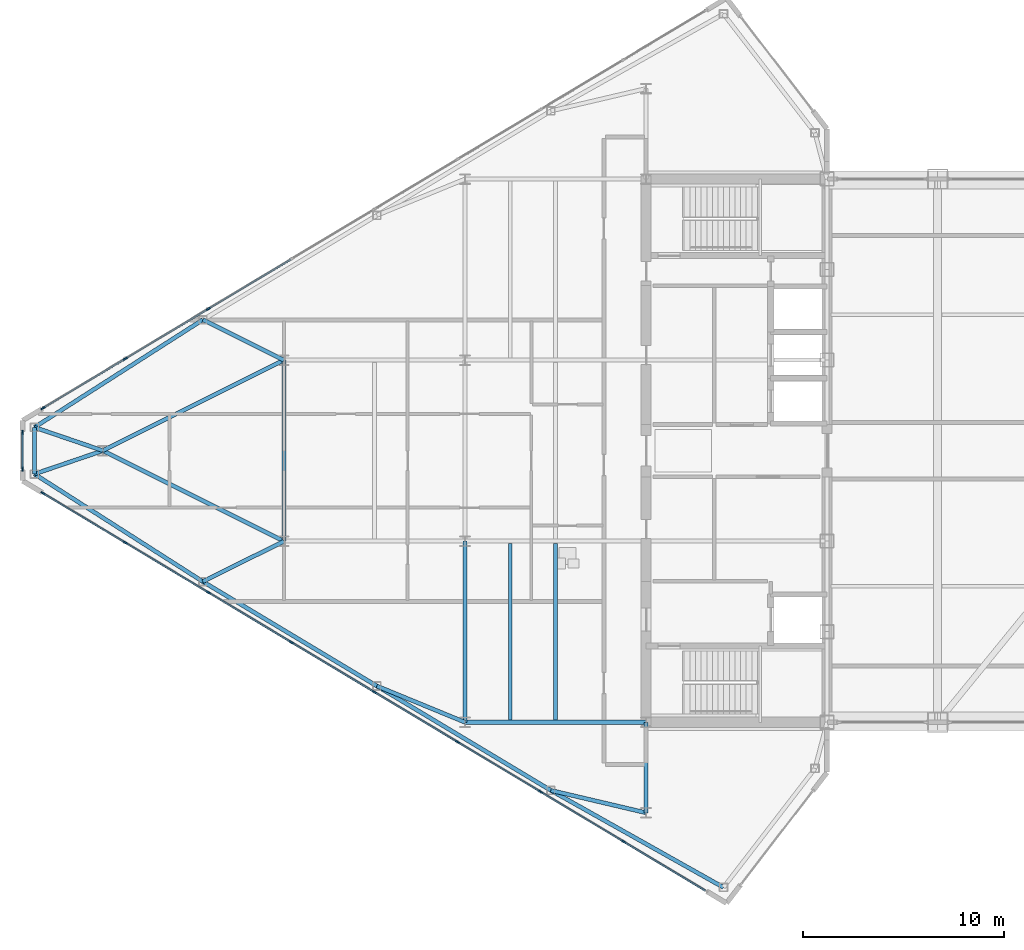
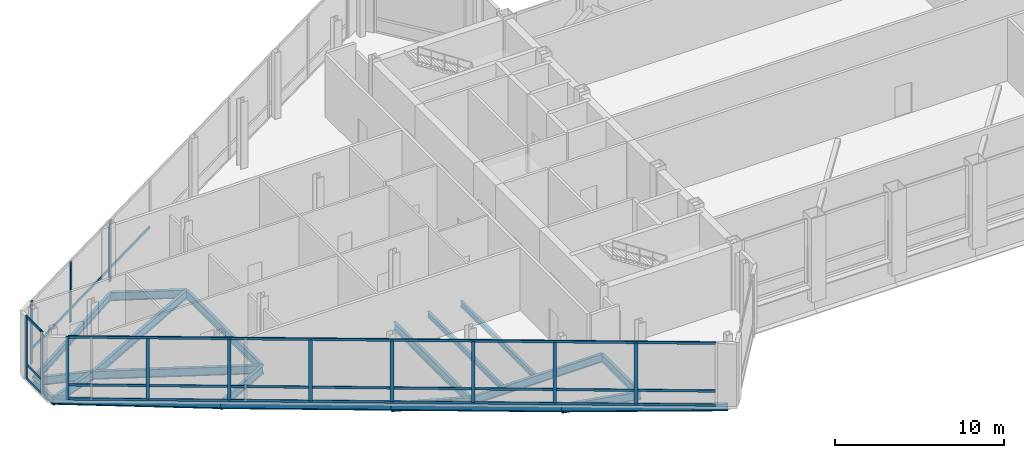
# One storey, part 8 of 29: 29 members, 20 beams, 3 elements without a shape of their own.
"""IFC4 building model written with IfcOpenShell, lengths in metres."""

import ifcopenshell
import ifcopenshell.guid

model = None  # the IFC model being written
_history = None  # IfcOwnerHistory: only IFC2X3 demands one
_inside = {}  # id of a spatial element -> (the spatial element, [elements in it])
_under = {}  # id of a project, library or spatial element -> (it, [spatial elements below it])
_declared = {}  # id of a project -> (the project, [libraries it declares])
_typed = {}  # id of a type object -> (the type object, [elements of that type])
_made_of = {}  # id of a material, layer set ... -> (it, [elements and type objects made of it])


def new_model(schema):
    """Start an empty IFC model of exactly this schema.

    Asked for "IFC4X3", IfcOpenShell would pick the latest addendum, in which some entities
    have other attributes; the version numbers below select the first issue.
    IFC2X3 requires an IfcOwnerHistory on every rooted entity: one is made here for all.
    """
    global model, _history
    if schema == "IFC4X3":
        model = ifcopenshell.file(schema_version=(4, 3, 0, 0))
    else:
        model = ifcopenshell.file(schema=schema)
    _inside.clear()
    _under.clear()
    _declared.clear()
    _typed.clear()
    _made_of.clear()
    _history = None
    if model.schema == "IFC2X3":
        org = make("IfcOrganization", Name="unknown")
        user = make(
            "IfcPersonAndOrganization",
            ThePerson=make("IfcPerson", FamilyName="unknown"),
            TheOrganization=org,
        )
        app = make(
            "IfcApplication",
            ApplicationDeveloper=org,
            Version="unknown",
            ApplicationFullName="unknown",
            ApplicationIdentifier="unknown",
        )
        _history = make(
            "IfcOwnerHistory",
            OwningUser=user,
            OwningApplication=app,
            ChangeAction="ADDED",
            CreationDate=0,
        )
    return model


def make(cls, **values):
    """One entity of the class cls with the attributes given. An attribute that is None is left unset."""
    return model.create_entity(
        cls, **{name: value for name, value in values.items() if value is not None}
    )


def rooted(cls, **values):
    """An entity with a GlobalId (a new one), such as an element, a storey or a relation."""
    return make(cls, GlobalId=ifcopenshell.guid.new(), OwnerHistory=_history, **values)


def si_unit(unit_type, name, prefix=None):
    """IfcSIUnit, for example si_unit("LENGTHUNIT", "METRE", prefix="MILLI")."""
    return make("IfcSIUnit", UnitType=unit_type, Prefix=prefix, Name=name)


def assignment(units):
    """IfcUnitAssignment: the units of a project."""
    return None if units is None else make("IfcUnitAssignment", Units=units)


def point(xyz):
    """IfcCartesianPoint."""
    return None if xyz is None else make("IfcCartesianPoint", Coordinates=xyz)


def direction(xyz):
    """IfcDirection."""
    return None if xyz is None else make("IfcDirection", DirectionRatios=xyz)


def frame(location, z_axis=None, x_axis=None):
    """IfcAxis2Placement3D, a coordinate frame: its origin and axes. An axis left out is left unset."""
    return make(
        "IfcAxis2Placement3D",
        Location=point(location),
        Axis=direction(z_axis),
        RefDirection=direction(x_axis),
    )


def frame_2d(location, x_axis=None):
    """IfcAxis2Placement2D, a coordinate frame in the plane: its origin and x axis."""
    return make(
        "IfcAxis2Placement2D", Location=point(location), RefDirection=direction(x_axis)
    )


def origin():
    """The frame at (0, 0, 0) with its axes left unset."""
    return frame((0.0, 0.0, 0.0))


def origin_2d():
    """The frame at (0, 0) in the plane with its x axis left unset."""
    return frame_2d((0.0, 0.0))


def place(relative_to, where):
    """IfcLocalPlacement: puts the frame where relative to a parent placement (None: the world)."""
    return make(
        "IfcLocalPlacement", PlacementRelTo=relative_to, RelativePlacement=where
    )


def context(
    kind, dimensions, precision=None, world=None, true_north=None, identifier=None
):
    """IfcGeometricRepresentationContext, for example the 3D "Model" context."""
    return make(
        "IfcGeometricRepresentationContext",
        ContextIdentifier=identifier,
        ContextType=kind,
        CoordinateSpaceDimension=dimensions,
        Precision=precision,
        WorldCoordinateSystem=world,
        TrueNorth=true_north,
    )


def subcontext(parent, identifier, kind, view, scale=None):
    """IfcGeometricRepresentationSubContext, for example "Body" below "Model"."""
    return make(
        "IfcGeometricRepresentationSubContext",
        ContextIdentifier=identifier,
        ContextType=kind,
        ParentContext=parent,
        TargetScale=scale,
        TargetView=view,
    )


def project(units=None, contexts=None):
    """IfcProject with its units and contexts."""
    return rooted(
        "IfcProject",
        Name="project",
        RepresentationContexts=contexts,
        UnitsInContext=assignment(units),
    )


def spatial(cls, under=None, at=None, **own):
    """A site, building, storey or space (cls), placed at a placement, below another one or the project."""
    s = rooted(cls, ObjectPlacement=at, **own)
    if under is not None:
        _under.setdefault(under.id(), (under, []))[1].append(s)
    return s


def profile(cls, at=None, kind="AREA", **sizes):
    """A parametric profile (cls). Its sizes go by their IFC names, for example OverallWidth=200.0."""
    return make(cls, ProfileType=kind, Position=at, **sizes)


def rectangle(**sizes):
    """IfcRectangleProfileDef."""
    return profile("IfcRectangleProfileDef", **sizes)


def i_section(**sizes):
    """IfcIShapeProfileDef."""
    return profile("IfcIShapeProfileDef", **sizes)


def extrude(swept, where, along, depth):
    """IfcExtrudedAreaSolid: the profile swept, set in the frame where, extruded along a direction by depth."""
    return make(
        "IfcExtrudedAreaSolid",
        SweptArea=swept,
        Position=where,
        ExtrudedDirection=direction(along),
        Depth=depth,
    )


def shape(context_of_items, identifier, shape_type, items):
    """IfcShapeRepresentation: the items that make up one representation, for example the "Body"."""
    return make(
        "IfcShapeRepresentation",
        ContextOfItems=context_of_items,
        RepresentationIdentifier=identifier,
        RepresentationType=shape_type,
        Items=items,
    )


def source(mapping_origin, context_of_items, identifier, shape_type, items):
    """IfcRepresentationMap: a shape defined once, which mapped items show again and again."""
    return make(
        "IfcRepresentationMap",
        MappingOrigin=mapping_origin,
        MappedRepresentation=shape(context_of_items, identifier, shape_type, items),
    )


def transform(
    local_origin,
    x_axis=None,
    y_axis=None,
    z_axis=None,
    scale=None,
    scale2=None,
    scale3=None,
    uniform=True,
):
    """IfcCartesianTransformationOperator3D, or its non-uniform kind. x_axis, y_axis, z_axis: its Axis1, 2, 3."""
    if uniform:
        return make(
            "IfcCartesianTransformationOperator3D",
            Axis1=direction(x_axis),
            Axis2=direction(y_axis),
            LocalOrigin=point(local_origin),
            Scale=scale,
            Axis3=direction(z_axis),
        )
    return make(
        "IfcCartesianTransformationOperator3DnonUniform",
        Axis1=direction(x_axis),
        Axis2=direction(y_axis),
        LocalOrigin=point(local_origin),
        Scale=scale,
        Axis3=direction(z_axis),
        Scale2=scale2,
        Scale3=scale3,
    )


def mapped(mapping_source, mapping_target):
    """IfcMappedItem: shows the shape of a source again, moved by a transform."""
    return make(
        "IfcMappedItem", MappingSource=mapping_source, MappingTarget=mapping_target
    )


def material(Name=None, Category=None):
    """IfcMaterial."""
    return make("IfcMaterial", Name=Name, Category=Category)


def layer(
    of_material, thickness, ventilated=None, Name=None, Category=None, Priority=None
):
    """IfcMaterialLayer: one layer of a wall or slab, of a material (None: an air gap)."""
    return make(
        "IfcMaterialLayer",
        Material=of_material,
        LayerThickness=thickness,
        IsVentilated=ventilated,
        Name=Name,
        Category=Category,
        Priority=Priority,
    )


def layer_set(layers, Name=None):
    """IfcMaterialLayerSet."""
    return make("IfcMaterialLayerSet", MaterialLayers=layers, LayerSetName=Name)


def material_profile(
    of_material, cross_section, Name=None, Category=None, Priority=None
):
    """IfcMaterialProfile: a cross section and its material."""
    return make(
        "IfcMaterialProfile",
        Name=Name,
        Material=of_material,
        Profile=cross_section,
        Priority=Priority,
        Category=Category,
    )


def profile_set(profiles, Name=None, composite=None):
    """IfcMaterialProfileSet."""
    return make(
        "IfcMaterialProfileSet",
        Name=Name,
        MaterialProfiles=profiles,
        CompositeProfile=composite,
    )


def made_of(thing, what):
    """Note that an element or type object is made of a material, layer set ...; save() writes the relation."""
    if what is not None:
        _made_of.setdefault(what.id(), (what, []))[1].append(thing)
    return thing


def type_object(cls, material=None, **own):
    """A type object (cls), such as IfcWallType, which elements share."""
    return made_of(rooted(cls, **own), material)


def type_shapes(of_type, sources):
    """Give a type object the sources (RepresentationMaps) that its elements show as mapped items."""
    of_type.RepresentationMaps = sources


def element(
    cls,
    number,
    at=None,
    inside=None,
    cuts=None,
    type_object=None,
    material=None,
    context=None,
    identifier="Body",
    shape_type=None,
    held_by="IfcProductDefinitionShape",
    body=None,
    shapes=None,
    **own,
):
    """One element of the class cls, such as IfcWall. Its Tag is "e" and its number.

    at: its placement. inside: the storey or other place that contains it. cuts: it is an
    opening in that element (IfcRelVoidsElement). A single representation is given by context,
    identifier, shape_type and body (its items); several are given by shapes. held_by: the class
    of the entity that holds the representations. save() writes the other relations.
    """
    e = rooted(cls, Tag="e%d" % number, ObjectPlacement=at, **own)
    if body is not None:
        shapes = [shape(context, identifier, shape_type, body)]
    if shapes is not None:
        e.Representation = make(held_by, Representations=shapes)
    if inside is not None:
        _inside.setdefault(inside.id(), (inside, []))[1].append(e)
    if cuts is not None:
        rooted(
            "IfcRelVoidsElement", RelatingBuildingElement=cuts, RelatedOpeningElement=e
        )
    if type_object is not None:
        _typed.setdefault(type_object.id(), (type_object, []))[1].append(e)
    return made_of(e, material)


def aggregate(whole, parts):
    """IfcRelAggregates: a whole, such as a stair, and the parts it consists of."""
    return rooted("IfcRelAggregates", RelatingObject=whole, RelatedObjects=parts)


def save(model, path):
    """Write the relations noted so far, then the file.

    IfcRelAggregates (storeys below a building ...), IfcRelContainedInSpatialStructure (elements
    in a storey), IfcRelDefinesByType, IfcRelAssociatesMaterial and IfcRelDeclares: one each for
    every whole, place, type object, material and project.
    """
    for whole, parts in _under.values():
        aggregate(whole, parts)
    for where, things in _inside.values():
        rooted(
            "IfcRelContainedInSpatialStructure",
            RelatedElements=things,
            RelatingStructure=where,
        )
    for kind, things in _typed.values():
        rooted("IfcRelDefinesByType", RelatedObjects=things, RelatingType=kind)
    for what, things in _made_of.values():
        rooted("IfcRelAssociatesMaterial", RelatedObjects=things, RelatingMaterial=what)
    for by, libraries in _declared.values():
        rooted("IfcRelDeclares", RelatingContext=by, RelatedDefinitions=libraries)
    model.write(path)


model = new_model("IFC4")

# Units and contexts
model_context = context("Model", 3, precision=1e-05, world=origin(), true_north=direction((0.0, 1.0)))
body_context = subcontext(model_context, "Body", "Model", "MODEL_VIEW")
ifc_project = project(units=[si_unit("LENGTHUNIT", "METRE"), si_unit("AREAUNIT", "SQUARE_METRE"), si_unit("VOLUMEUNIT", "CUBIC_METRE"), si_unit("PLANEANGLEUNIT", "RADIAN"), si_unit("MASSUNIT", "GRAM", prefix="KILO")], contexts=[model_context])

# Site, building, storey
site_placement = place(None, origin())
site = spatial("IfcSite", under=ifc_project, at=site_placement, CompositionType="ELEMENT")
building_placement = place(site_placement, origin())
building = spatial("IfcBuilding", under=site, at=building_placement, Name="Seokmaru Belvedere", CompositionType="ELEMENT")
storey_placement = place(building_placement, frame((0.0, 0.0, 229.800048828125)))
storey = spatial("IfcBuildingStorey", under=building, at=storey_placement, Name="L61", CompositionType="ELEMENT", Elevation=229.800048828125)

# Beams
ifc_material_1 = material(Name="Steel SM355 (355 MPa)", Category="steel")
ifc_material_profile_1 = material_profile(ifc_material_1, i_section(OverallWidth=0.199951171875, OverallDepth=0.60009765625, WebThickness=0.010986328125, FlangeThickness=0.01708984375, at=origin_2d()), Name="H-600x200x11x17")
ifc_profile_set_1 = profile_set([ifc_material_profile_1], Name="Steel SM355 (355 MPa)")
beam_type_1 = type_object("IfcBeamType", Name="Primary Floor Girder H-600", PredefinedType="BEAM", material=ifc_profile_set_1)
shared_shape_1 = source(origin(), body_context, "Body", "SweptSolid", [
    extrude(i_section(OverallWidth=0.199951171875, OverallDepth=0.60009765625, WebThickness=0.010986328125, FlangeThickness=0.01708984375, at=origin_2d()), origin(), (0.0, 0.0, 1.0), 9.0),
])
for number, where, z_axis, x_axis, name in (
    (1, (-45.5, -13.5, -0.56005859375), (0.0, 1.0, 0.0), (-1.0, 0.0, 0.0), "L61 W Interior Grid Girder 1"),
    (2, (-45.5, -13.5, -0.56005859375), (1.0, 0.0, 0.0), (0.0, 1.0, 0.0), "L61 W Wing Primary Girder 1"),
    (3, (-54.5, -4.5, -0.56005859375), (0.0, 1.0, 0.0), (-1.0, 0.0, 0.0), "L61 W Apex Frame Girder"),
):
    element("IfcBeam", number, at=place(storey_placement, frame(where, z_axis=z_axis, x_axis=x_axis)), inside=storey, type_object=beam_type_1, Name=name, PredefinedType="BEAM", context=body_context, shape_type="MappedRepresentation", body=[
        mapped(shared_shape_1, transform((0.0, 0.0, 0.0), scale=1.0)),
    ])
shared_shape_2 = source(origin(), body_context, "Body", "SweptSolid", [
    extrude(i_section(OverallWidth=0.199951171875, OverallDepth=0.60009765625, WebThickness=0.010986328125, FlangeThickness=0.01708984375, at=origin_2d()), origin(), (0.0, 0.0, 1.0), 10.062255859375),
])
for number, where, z_axis, x_axis, name in (
    (4, (-54.5, -4.5, -0.56005859375), (-0.894427191, 0.4472135955, 0.0), (-0.4472135955, -0.894427191, 0.0), "L61 W Apex Converging Girder 1"),
    (5, (-54.5, 4.5, -0.56005859375), (-0.894427191, -0.4472135955, 0.0), (0.4472135955, -0.894427191, 0.0), "L61 W Apex Converging Girder 2"),
):
    element("IfcBeam", number, at=place(storey_placement, frame(where, z_axis=z_axis, x_axis=x_axis)), inside=storey, type_object=beam_type_1, Name=name, PredefinedType="BEAM", context=body_context, shape_type="MappedRepresentation", body=[
        mapped(shared_shape_2, transform((0.0, 0.0, 0.0), scale=1.0)),
    ])
ifc_material_profile_2 = material_profile(ifc_material_1, i_section(OverallWidth=0.18505859375, OverallDepth=0.389892578125, WebThickness=0.008056640625, FlangeThickness=0.011962890625, at=origin_2d()), Name="H-390x185x8x12")
ifc_profile_set_2 = profile_set([ifc_material_profile_2], Name="Steel SM355 (355 MPa)")
beam_type_2 = type_object("IfcBeamType", Name="Secondary Floor Joist H-350", PredefinedType="JOIST", material=ifc_profile_set_2)
shared_shape_3 = source(origin(), body_context, "Body", "SweptSolid", [
    extrude(i_section(OverallWidth=0.18505859375, OverallDepth=0.389892578125, WebThickness=0.008056640625, FlangeThickness=0.011962890625, at=origin_2d()), origin(), (0.0, 0.0, 1.0), 8.7900390625),
])
type_shapes(beam_type_2, [shared_shape_3])
for number, where, z_axis, x_axis, name in (
    (6, (-43.25, -13.39501953125, -0.455078125), (0.0, 1.0, 0.0), (-1.0, 0.0, 0.0), "L61 W Wing Inner Secondary Joist 1"),
    (7, (-41.0, -13.39501953125, -0.455078125), (0.0, 1.0, 0.0), (-1.0, 0.0, 0.0), "L61 W Secondary Floor Joist 1"),
):
    element("IfcBeam", number, at=place(storey_placement, frame(where, z_axis=z_axis, x_axis=x_axis)), inside=storey, type_object=beam_type_2, Name=name, PredefinedType="JOIST", context=body_context, shape_type="MappedRepresentation", body=[
        mapped(shared_shape_3, transform((0.0, 0.0, 0.0), scale=1.0)),
    ])
shared_shape_4 = source(origin(), body_context, "Body", "SweptSolid", [
    extrude(i_section(OverallWidth=0.199951171875, OverallDepth=0.60009765625, WebThickness=0.010986328125, FlangeThickness=0.01708984375, at=origin_2d()), origin(), (0.0, 0.0, 1.0), 4.5),
])
beam_1_placement = place(storey_placement, frame((-36.5, -18.0, -0.56005859375), z_axis=(0.0, 1.0, 0.0), x_axis=(-1.0, 0.0, 0.0)))
element("IfcBeam", 8, at=beam_1_placement, inside=storey, type_object=beam_type_1, Name="L61 W Core Shoulder Girder S", PredefinedType="BEAM", context=body_context, shape_type="MappedRepresentation", body=[
    mapped(shared_shape_4, transform((0.0, 0.0, 0.0), scale=1.0)),
])
ifc_material_profile_3 = material_profile(ifc_material_1, i_section(OverallWidth=0.199951171875, OverallDepth=0.5, WebThickness=0.010009765625, FlangeThickness=0.01611328125, at=origin_2d()), Name="H-500x200x10x16")
ifc_profile_set_3 = profile_set([ifc_material_profile_3], Name="Steel SM355 (355 MPa)")
beam_type_3 = type_object("IfcBeamType", Name="Perimeter Spandrel Beam H-500", PredefinedType="SPANDREL", material=ifc_profile_set_3)
shared_shape_5 = source(origin(), body_context, "Body", "SweptSolid", [
    extrude(i_section(OverallWidth=0.199951171875, OverallDepth=0.5, WebThickness=0.010009765625, FlangeThickness=0.01611328125, at=origin_2d()), origin(), (0.0, 0.0, 1.0), 9.842041015625),
])
beam_2_placement = place(storey_placement, frame((-32.649658203125, -21.71044921875, -0.510009765625), z_axis=(-0.871782151818, 0.489893743349, 0.0), x_axis=(-0.489893743349, -0.871782151818, 0.0)))
element("IfcBeam", 9, at=beam_2_placement, inside=storey, type_object=beam_type_3, Name="L61 W Faceted Flank Spandrel S-1", PredefinedType="SPANDREL", context=body_context, shape_type="MappedRepresentation", body=[
    mapped(shared_shape_5, transform((0.0, 0.0, 0.0), scale=1.0)),
])
shared_shape_6 = source(origin(), body_context, "Body", "SweptSolid", [
    extrude(i_section(OverallWidth=0.199951171875, OverallDepth=0.5, WebThickness=0.010009765625, FlangeThickness=0.01611328125, at=origin_2d()), origin(), (0.0, 0.0, 1.0), 10.087646484375),
])
for number, where, z_axis, x_axis, name in (
    (10, (-41.229736328125, -16.888916015625, -0.510009765625), (-0.857499332045, 0.514485078056, 0.0), (-0.514485078056, -0.857499332045, 0.0), "L61 W Faceted Flank Spandrel S-2"),
    (11, (-49.8798828125, -11.698974609375, -0.510009765625), (-0.857488654804, 0.514502873542, 0.0), (-0.514502873542, -0.857488654804, 0.0), "L61 W Faceted Flank Spandrel S-3"),
):
    element("IfcBeam", number, at=place(storey_placement, frame(where, z_axis=z_axis, x_axis=x_axis)), inside=storey, type_object=beam_type_3, Name=name, PredefinedType="SPANDREL", context=body_context, shape_type="MappedRepresentation", body=[
        mapped(shared_shape_6, transform((0.0, 0.0, 0.0), scale=1.0)),
    ])
shared_shape_7 = source(origin(), body_context, "Body", "SweptSolid", [
    extrude(i_section(OverallWidth=0.199951171875, OverallDepth=0.5, WebThickness=0.010009765625, FlangeThickness=0.01611328125, at=origin_2d()), origin(), (0.0, 0.0, 1.0), 9.932861328125),
])
for number, where, z_axis, x_axis, name in (
    (12, (-58.530029296875, -6.5087890625, -0.510009765625), (-0.842651960357, 0.538458609093, 0.0), (-0.538458609093, -0.842651960357, 0.0), "L61 W Faceted Flank Spandrel S-4"),
    (13, (-58.530029296875, 6.5087890625, -0.510009765625), (-0.842651960357, -0.538458609093, 0.0), (0.538458609093, -0.842651960357, 0.0), "L61 W Faceted Flank Spandrel N-4"),
):
    element("IfcBeam", number, at=place(storey_placement, frame(where, z_axis=z_axis, x_axis=x_axis)), inside=storey, type_object=beam_type_3, Name=name, PredefinedType="SPANDREL", context=body_context, shape_type="MappedRepresentation", body=[
        mapped(shared_shape_7, transform((0.0, 0.0, 0.0), scale=1.0)),
    ])
shared_shape_8 = source(origin(), body_context, "Body", "SweptSolid", [
    extrude(i_section(OverallWidth=0.199951171875, OverallDepth=0.5, WebThickness=0.010009765625, FlangeThickness=0.01611328125, at=origin_2d()), origin(), (0.0, 0.0, 1.0), 2.32080078125),
])
type_shapes(beam_type_3, [shared_shape_5, shared_shape_6, shared_shape_7, shared_shape_8])
beam_3_placement = place(storey_placement, frame((-66.89990234375, -1.160400390625, -0.510009765625), z_axis=(0.0, 1.0, 0.0), x_axis=(-1.0, 0.0, 0.0)))
element("IfcBeam", 14, at=beam_3_placement, inside=storey, type_object=beam_type_3, Name="L61 W Faceted Apex Spandrel", PredefinedType="SPANDREL", context=body_context, shape_type="MappedRepresentation", body=[
    mapped(shared_shape_8, transform((0.0, 0.0, 0.0), scale=1.0)),
])
shared_shape_9 = source(origin(), body_context, "Body", "SweptSolid", [
    extrude(i_section(OverallWidth=0.199951171875, OverallDepth=0.60009765625, WebThickness=0.010986328125, FlangeThickness=0.01708984375, at=origin_2d()), origin(), (0.0, 0.0, 1.0), 4.8583984375),
])
beam_4_placement = place(storey_placement, frame((-41.229736328125, -16.888916015625, -0.56005859375), z_axis=(0.97349948295, -0.228689214211, 0.0), x_axis=(0.228689214211, 0.97349948295, 0.0)))
element("IfcBeam", 15, at=beam_4_placement, inside=storey, type_object=beam_type_1, Name="L61 W Flank Radial Floor Girder S-1", PredefinedType="BEAM", context=body_context, shape_type="MappedRepresentation", body=[
    mapped(shared_shape_9, transform((0.0, 0.0, 0.0), scale=1.0)),
])
shared_shape_10 = source(origin(), body_context, "Body", "SweptSolid", [
    extrude(i_section(OverallWidth=0.199951171875, OverallDepth=0.60009765625, WebThickness=0.010986328125, FlangeThickness=0.01708984375, at=origin_2d()), origin(), (0.0, 0.0, 1.0), 4.73583984375),
])
beam_5_placement = place(storey_placement, frame((-49.8798828125, -11.698974609375, -0.56005859375), z_axis=(0.924860562953, -0.380306375301, 0.0), x_axis=(0.380306375301, 0.924860562953, 0.0)))
element("IfcBeam", 16, at=beam_5_placement, inside=storey, type_object=beam_type_1, Name="L61 W Flank Radial Floor Girder S-2", PredefinedType="BEAM", context=body_context, shape_type="MappedRepresentation", body=[
    mapped(shared_shape_10, transform((0.0, 0.0, 0.0), scale=1.0)),
])
shared_shape_11 = source(origin(), body_context, "Body", "SweptSolid", [
    extrude(i_section(OverallWidth=0.199951171875, OverallDepth=0.60009765625, WebThickness=0.010986328125, FlangeThickness=0.01708984375, at=origin_2d()), origin(), (0.0, 0.0, 1.0), 4.5029296875),
])
for number, where, z_axis, x_axis, name in (
    (17, (-58.530029296875, -6.5087890625, -0.56005859375), (0.894979532585, 0.446107202648, 0.0), (-0.446107202648, 0.894979532585, 0.0), "L61 W Flank Radial Floor Girder S-3"),
    (18, (-58.530029296875, 6.5087890625, -0.56005859375), (0.894979532585, -0.446107202648, 0.0), (0.446107202648, 0.894979532585, 0.0), "L61 W Flank Radial Floor Girder N-3"),
):
    element("IfcBeam", number, at=place(storey_placement, frame(where, z_axis=z_axis, x_axis=x_axis)), inside=storey, type_object=beam_type_1, Name=name, PredefinedType="BEAM", context=body_context, shape_type="MappedRepresentation", body=[
        mapped(shared_shape_11, transform((0.0, 0.0, 0.0), scale=1.0)),
    ])
shared_shape_12 = source(origin(), body_context, "Body", "SweptSolid", [
    extrude(i_section(OverallWidth=0.199951171875, OverallDepth=0.60009765625, WebThickness=0.010986328125, FlangeThickness=0.01708984375, at=origin_2d()), origin(), (0.0, 0.0, 1.0), 3.592529296875),
])
type_shapes(beam_type_1, [shared_shape_1, shared_shape_2, shared_shape_4, shared_shape_9, shared_shape_10, shared_shape_11, shared_shape_12])
for number, where, z_axis, x_axis, name in (
    (19, (-66.89990234375, -1.160400390625, -0.56005859375), (0.946395973048, 0.323008764893, 0.0), (-0.323008764893, 0.946395973048, 0.0), "L61 W Apex Radial Floor Girder 1"),
    (20, (-66.89990234375, 1.160400390625, -0.56005859375), (0.946395973048, -0.323008764893, 0.0), (0.323008764893, 0.946395973048, 0.0), "L61 W Apex Radial Floor Girder 2"),
):
    element("IfcBeam", number, at=place(storey_placement, frame(where, z_axis=z_axis, x_axis=x_axis)), inside=storey, type_object=beam_type_1, Name=name, PredefinedType="BEAM", context=body_context, shape_type="MappedRepresentation", body=[
        mapped(shared_shape_12, transform((0.0, 0.0, 0.0), scale=1.0)),
    ])

# Curtain wall, member
ifc_material_2 = material(Name="Bronze Triple Insulating Glass", Category="glass")
ifc_layer = layer(ifc_material_2, 0.219970703125)
ifc_layer_set = layer_set([ifc_layer], Name="Bronze Triple Insulating Glass")
curtain_wall_type = type_object("IfcCurtainWallType", Name="Sky-Gate Bridge Panorama Curtain Wall System CW-6", PredefinedType="NOTDEFINED", material=ifc_layer_set)
curtain_wall_1_placement = place(storey_placement, origin())
curtain_wall_1 = element("IfcCurtainWall", 21, at=curtain_wall_1_placement, inside=storey, type_object=curtain_wall_type, Name="L61 Curtain Wall WF3", PredefinedType="NOTDEFINED")
ifc_material_3 = material(Name="Anodised Bronze Aluminium", Category="aluminium")
ifc_material_profile_4 = material_profile(ifc_material_3, rectangle(XDim=0.080078125, YDim=0.219970703125, at=origin_2d()), Name="CW-M-80x220")
ifc_profile_set_4 = profile_set([ifc_material_profile_4], Name="Anodised Bronze Aluminium")
member_type_1 = type_object("IfcMemberType", Name="Bronze Unitised Mullion 80x220", PredefinedType="MULLION", material=ifc_profile_set_4)
shared_shape_13 = source(origin(), body_context, "Body", "SweptSolid", [
    extrude(rectangle(XDim=0.080078125, YDim=0.219970703125, at=origin_2d()), origin(), (0.0, 0.0, 1.0), 4.5400390625),
])
member_1_placement = place(storey_placement, frame((-66.4794921875, 2.1123046875, 0.0), z_axis=(0.0, 0.0, 1.0), x_axis=(0.514494909364, -0.85749343335, 0.0)))
member_1 = element("IfcMember", 22, at=member_1_placement, type_object=member_type_1, Name="CW:L61:WF3 Mullion 9", PredefinedType="MULLION", context=body_context, shape_type="MappedRepresentation", body=[
    mapped(shared_shape_13, transform((0.0, 0.0, 0.0), scale=1.0)),
])

# Curtain wall, members
curtain_wall_2_placement = place(storey_placement, origin())
curtain_wall_2 = element("IfcCurtainWall", 23, at=curtain_wall_2_placement, inside=storey, type_object=curtain_wall_type, Name="L61 Curtain Wall WF4", PredefinedType="NOTDEFINED")
member_2_placement = place(storey_placement, frame((-67.5, 0.909912109375, 0.0), z_axis=(0.0, 0.0, 1.0), x_axis=(1.0, 0.0, 0.0)))
member_2 = element("IfcMember", 24, at=member_2_placement, type_object=member_type_1, Name="CW:L61:WF4 Mullion 1", PredefinedType="MULLION", context=body_context, shape_type="MappedRepresentation", body=[
    mapped(shared_shape_13, transform((0.0, 0.0, 0.0), scale=1.0)),
])
member_3_placement = place(storey_placement, frame((-67.5, -0.909912109375, 0.0), z_axis=(0.0, 0.0, 1.0), x_axis=(1.0, 0.0, 0.0)))
member_3 = element("IfcMember", 25, at=member_3_placement, type_object=member_type_1, Name="CW:L61:WF4 Mullion 2", PredefinedType="MULLION", context=body_context, shape_type="MappedRepresentation", body=[
    mapped(shared_shape_13, transform((0.0, 0.0, 0.0), scale=1.0)),
])

# Curtain wall, member
curtain_wall_3_placement = place(storey_placement, origin())
curtain_wall_3 = element("IfcCurtainWall", 26, at=curtain_wall_3_placement, inside=storey, type_object=curtain_wall_type, Name="L61 Curtain Wall WF5", PredefinedType="NOTDEFINED")
member_4_placement = place(storey_placement, frame((-66.4794921875, -2.1123046875, 0.0), z_axis=(0.0, 0.0, 1.0), x_axis=(0.514494909364, 0.85749343335, 0.0)))
member_4 = element("IfcMember", 27, at=member_4_placement, type_object=member_type_1, Name="CW:L61:WF5 Mullion 1", PredefinedType="MULLION", context=body_context, shape_type="MappedRepresentation", body=[
    mapped(shared_shape_13, transform((0.0, 0.0, 0.0), scale=1.0)),
])

# Member
shared_shape_14 = source(origin(), body_context, "Body", "SweptSolid", [
    extrude(rectangle(XDim=0.080078125, YDim=0.219970703125, at=origin_2d()), origin(), (0.0, 0.0, 1.0), 4.389892578125),
])
type_shapes(member_type_1, [shared_shape_13, shared_shape_14])
member_5_placement = place(storey_placement, frame((-58.257080078125, 7.0458984375, 0.074951171875), z_axis=(0.0, 0.0, 1.0), x_axis=(0.514494909364, -0.85749343335, 0.0)))
member_5 = element("IfcMember", 28, at=member_5_placement, type_object=member_type_1, Name="CW:L61:WF3 Mullion 7", PredefinedType="MULLION", context=body_context, shape_type="MappedRepresentation", body=[
    mapped(shared_shape_14, transform((0.0, 0.0, 0.0), scale=1.0)),
])

member_6_placement = place(storey_placement, frame((-62.385498046875, 4.56884765625, 0.074951171875), z_axis=(0.0, 0.0, 1.0), x_axis=(0.514494909364, -0.85749343335, 0.0)))
member_6 = element("IfcMember", 29, at=member_6_placement, type_object=member_type_1, Name="CW:L61:WF3 Mullion 8", PredefinedType="MULLION", context=body_context, shape_type="MappedRepresentation", body=[
    mapped(shared_shape_14, transform((0.0, 0.0, 0.0), scale=1.0)),
])

member_7_placement = place(storey_placement, frame((-62.385498046875, -4.56884765625, 0.074951171875), z_axis=(0.0, 0.0, 1.0), x_axis=(0.514494909364, 0.85749343335, 0.0)))
member_7 = element("IfcMember", 30, at=member_7_placement, type_object=member_type_1, Name="CW:L61:WF5 Mullion 2", PredefinedType="MULLION", context=body_context, shape_type="MappedRepresentation", body=[
    mapped(shared_shape_14, transform((0.0, 0.0, 0.0), scale=1.0)),
])

member_8_placement = place(storey_placement, frame((-58.257080078125, -7.0458984375, 0.074951171875), z_axis=(0.0, 0.0, 1.0), x_axis=(0.514494909364, 0.85749343335, 0.0)))
member_8 = element("IfcMember", 31, at=member_8_placement, type_object=member_type_1, Name="CW:L61:WF5 Mullion 3", PredefinedType="MULLION", context=body_context, shape_type="MappedRepresentation", body=[
    mapped(shared_shape_14, transform((0.0, 0.0, 0.0), scale=1.0)),
])

member_9_placement = place(storey_placement, frame((-54.12841796875, -9.52294921875, 0.074951171875), z_axis=(0.0, 0.0, 1.0), x_axis=(0.514494909364, 0.85749343335, 0.0)))
member_9 = element("IfcMember", 32, at=member_9_placement, type_object=member_type_1, Name="CW:L61:WF5 Mullion 4", PredefinedType="MULLION", context=body_context, shape_type="MappedRepresentation", body=[
    mapped(shared_shape_14, transform((0.0, 0.0, 0.0), scale=1.0)),
])

member_10_placement = place(storey_placement, frame((-50.0, -12.0, 0.074951171875), z_axis=(0.0, 0.0, 1.0), x_axis=(0.514494909364, 0.85749343335, 0.0)))
member_10 = element("IfcMember", 33, at=member_10_placement, type_object=member_type_1, Name="CW:L61:WF5 Mullion 5", PredefinedType="MULLION", context=body_context, shape_type="MappedRepresentation", body=[
    mapped(shared_shape_14, transform((0.0, 0.0, 0.0), scale=1.0)),
])

member_11_placement = place(storey_placement, frame((-45.87158203125, -14.47705078125, 0.074951171875), z_axis=(0.0, 0.0, 1.0), x_axis=(0.514494909364, 0.85749343335, 0.0)))
member_11 = element("IfcMember", 34, at=member_11_placement, type_object=member_type_1, Name="CW:L61:WF5 Mullion 6", PredefinedType="MULLION", context=body_context, shape_type="MappedRepresentation", body=[
    mapped(shared_shape_14, transform((0.0, 0.0, 0.0), scale=1.0)),
])

member_12_placement = place(storey_placement, frame((-41.742919921875, -16.9541015625, 0.074951171875), z_axis=(0.0, 0.0, 1.0), x_axis=(0.514494909364, 0.85749343335, 0.0)))
member_12 = element("IfcMember", 35, at=member_12_placement, type_object=member_type_1, Name="CW:L61:WF5 Mullion 7", PredefinedType="MULLION", context=body_context, shape_type="MappedRepresentation", body=[
    mapped(shared_shape_14, transform((0.0, 0.0, 0.0), scale=1.0)),
])

member_13_placement = place(storey_placement, frame((-37.614501953125, -19.43115234375, 0.074951171875), z_axis=(0.0, 0.0, 1.0), x_axis=(0.514494909364, 0.85749343335, 0.0)))
member_13 = element("IfcMember", 36, at=member_13_placement, type_object=member_type_1, Name="CW:L61:WF5 Mullion 8", PredefinedType="MULLION", context=body_context, shape_type="MappedRepresentation", body=[
    mapped(shared_shape_14, transform((0.0, 0.0, 0.0), scale=1.0)),
])

ifc_material_profile_5 = material_profile(ifc_material_3, rectangle(XDim=0.074951171875, YDim=0.179931640625, at=origin_2d()), Name="CW-T-75x180")
ifc_profile_set_5 = profile_set([ifc_material_profile_5], Name="Anodised Bronze Aluminium")
member_type_2 = type_object("IfcMemberType", Name="Bronze Unitised Transom 75x180", PredefinedType="USERDEFINED", material=ifc_profile_set_5)
shared_shape_15 = source(origin(), body_context, "Body", "SweptSolid", [
    extrude(rectangle(XDim=0.074951171875, YDim=0.179931640625, at=origin_2d()), origin(), (0.0, 0.0, 1.0), 38.356689453125),
])
member_14_placement = place(storey_placement, frame((-66.4453125, -2.1328125, 0.037353515625), z_axis=(0.857492925713, -0.514495755428, 0.0), x_axis=(0.514495755428, 0.857492925713, 0.0)))
member_14 = element("IfcMember", 37, at=member_14_placement, type_object=member_type_2, Name="CW:L61:WF5 Continuous Transom 1", ObjectType="TRANSOM", PredefinedType="USERDEFINED", context=body_context, shape_type="MappedRepresentation", body=[
    mapped(shared_shape_15, transform((0.0, 0.0, 0.0), scale=1.0)),
])

member_15_placement = place(storey_placement, frame((-66.4453125, -2.1328125, 4.50244140625), z_axis=(0.857492925713, -0.514495755428, 0.0), x_axis=(0.514495755428, 0.857492925713, 0.0)))
member_15 = element("IfcMember", 38, at=member_15_placement, type_object=member_type_2, Name="CW:L61:WF5 Continuous Transom 2", ObjectType="TRANSOM", PredefinedType="USERDEFINED", context=body_context, shape_type="MappedRepresentation", body=[
    mapped(shared_shape_15, transform((0.0, 0.0, 0.0), scale=1.0)),
])

shared_shape_16 = source(origin(), body_context, "Body", "SweptSolid", [
    extrude(rectangle(XDim=0.074951171875, YDim=0.179931640625, at=origin_2d()), origin(), (0.0, 0.0, 1.0), 4.694580078125),
])
member_16_placement = place(storey_placement, frame((-62.419677734375, 4.548095703125, 1.050048828125), z_axis=(-0.85750210284, -0.514480459906, 0.0), x_axis=(0.514480459906, -0.85750210284, 0.0)))
member_16 = element("IfcMember", 39, at=member_16_placement, type_object=member_type_2, Name="CW:L61:WF3 Spandrel Transom 8", ObjectType="TRANSOM", PredefinedType="USERDEFINED", context=body_context, shape_type="MappedRepresentation", body=[
    mapped(shared_shape_16, transform((0.0, 0.0, 0.0), scale=1.0)),
])

member_17_placement = place(storey_placement, frame((-66.4453125, -2.1328125, 1.050048828125), z_axis=(0.85750210284, -0.514480459906, 0.0), x_axis=(0.514480459906, 0.85750210284, 0.0)))
member_17 = element("IfcMember", 40, at=member_17_placement, type_object=member_type_2, Name="CW:L61:WF5 Spandrel Transom 1", ObjectType="TRANSOM", PredefinedType="USERDEFINED", context=body_context, shape_type="MappedRepresentation", body=[
    mapped(shared_shape_16, transform((0.0, 0.0, 0.0), scale=1.0)),
])

member_18_placement = place(storey_placement, frame((-37.580322265625, -19.451904296875, 1.050048828125), z_axis=(0.85750210284, -0.514480459906, 0.0), x_axis=(0.514480459906, 0.85750210284, 0.0)))
member_18 = element("IfcMember", 41, at=member_18_placement, type_object=member_type_2, Name="CW:L61:WF5 Spandrel Transom 8", ObjectType="TRANSOM", PredefinedType="USERDEFINED", context=body_context, shape_type="MappedRepresentation", body=[
    mapped(shared_shape_16, transform((0.0, 0.0, 0.0), scale=1.0)),
])

shared_shape_17 = source(origin(), body_context, "Body", "SweptSolid", [
    extrude(rectangle(XDim=0.074951171875, YDim=0.179931640625, at=origin_2d()), origin(), (0.0, 0.0, 1.0), 4.734619140625),
])
member_19_placement = place(storey_placement, frame((-58.291259765625, 7.025390625, 1.050048828125), z_axis=(-0.857479275774, -0.514518504641, 0.0), x_axis=(0.514518504641, -0.857479275774, 0.0)))
member_19 = element("IfcMember", 42, at=member_19_placement, type_object=member_type_2, Name="CW:L61:WF3 Spandrel Transom 7", ObjectType="TRANSOM", PredefinedType="USERDEFINED", context=body_context, shape_type="MappedRepresentation", body=[
    mapped(shared_shape_17, transform((0.0, 0.0, 0.0), scale=1.0)),
])

member_20_placement = place(storey_placement, frame((-62.35107421875, -4.58935546875, 1.050048828125), z_axis=(0.857479275774, -0.514518504641, 0.0), x_axis=(0.514518504641, 0.857479275774, 0.0)))
member_20 = element("IfcMember", 43, at=member_20_placement, type_object=member_type_2, Name="CW:L61:WF5 Spandrel Transom 2", ObjectType="TRANSOM", PredefinedType="USERDEFINED", context=body_context, shape_type="MappedRepresentation", body=[
    mapped(shared_shape_17, transform((0.0, 0.0, 0.0), scale=1.0)),
])

member_21_placement = place(storey_placement, frame((-41.708740234375, -16.974609375, 1.050048828125), z_axis=(0.857479275774, -0.514518504641, 0.0), x_axis=(0.514518504641, 0.857479275774, 0.0)))
member_21 = element("IfcMember", 44, at=member_21_placement, type_object=member_type_2, Name="CW:L61:WF5 Spandrel Transom 7", ObjectType="TRANSOM", PredefinedType="USERDEFINED", context=body_context, shape_type="MappedRepresentation", body=[
    mapped(shared_shape_17, transform((0.0, 0.0, 0.0), scale=1.0)),
])

shared_shape_18 = source(origin(), body_context, "Body", "SweptSolid", [
    extrude(rectangle(XDim=0.074951171875, YDim=0.179931640625, at=origin_2d()), origin(), (0.0, 0.0, 1.0), 4.734375),
])
member_22_placement = place(storey_placement, frame((-54.162841796875, 9.502197265625, 1.050048828125), z_axis=(-0.857502025578, -0.514480588682, 0.0), x_axis=(0.514480588682, -0.857502025578, 0.0)))
member_22 = element("IfcMember", 45, at=member_22_placement, type_object=member_type_2, Name="CW:L61:WF3 Spandrel Transom 6", ObjectType="TRANSOM", PredefinedType="USERDEFINED", context=body_context, shape_type="MappedRepresentation", body=[
    mapped(shared_shape_18, transform((0.0, 0.0, 0.0), scale=1.0)),
])

aggregate(curtain_wall_1, [member_5, member_6, member_1, member_22, member_19, member_16])

member_23_placement = place(storey_placement, frame((-58.22265625, -7.06640625, 1.050048828125), z_axis=(0.857502025578, -0.514480588682, 0.0), x_axis=(0.514480588682, 0.857502025578, 0.0)))
member_23 = element("IfcMember", 46, at=member_23_placement, type_object=member_type_2, Name="CW:L61:WF5 Spandrel Transom 3", ObjectType="TRANSOM", PredefinedType="USERDEFINED", context=body_context, shape_type="MappedRepresentation", body=[
    mapped(shared_shape_18, transform((0.0, 0.0, 0.0), scale=1.0)),
])

member_24_placement = place(storey_placement, frame((-45.837158203125, -14.497802734375, 1.050048828125), z_axis=(0.857502025578, -0.514480588682, 0.0), x_axis=(0.514480588682, 0.857502025578, 0.0)))
member_24 = element("IfcMember", 47, at=member_24_placement, type_object=member_type_2, Name="CW:L61:WF5 Spandrel Transom 6", ObjectType="TRANSOM", PredefinedType="USERDEFINED", context=body_context, shape_type="MappedRepresentation", body=[
    mapped(shared_shape_18, transform((0.0, 0.0, 0.0), scale=1.0)),
])

shared_shape_19 = source(origin(), body_context, "Body", "SweptSolid", [
    extrude(rectangle(XDim=0.074951171875, YDim=0.179931640625, at=origin_2d()), origin(), (0.0, 0.0, 1.0), 4.73486328125),
])
member_25_placement = place(storey_placement, frame((-54.09423828125, -9.54345703125, 1.050048828125), z_axis=(0.857492925713, -0.514495755428, 0.0), x_axis=(0.514495755428, 0.857492925713, 0.0)))
member_25 = element("IfcMember", 48, at=member_25_placement, type_object=member_type_2, Name="CW:L61:WF5 Spandrel Transom 4", ObjectType="TRANSOM", PredefinedType="USERDEFINED", context=body_context, shape_type="MappedRepresentation", body=[
    mapped(shared_shape_19, transform((0.0, 0.0, 0.0), scale=1.0)),
])

member_26_placement = place(storey_placement, frame((-49.9658203125, -12.0205078125, 1.050048828125), z_axis=(0.857492925713, -0.514495755428, 0.0), x_axis=(0.514495755428, 0.857492925713, 0.0)))
member_26 = element("IfcMember", 49, at=member_26_placement, type_object=member_type_2, Name="CW:L61:WF5 Spandrel Transom 5", ObjectType="TRANSOM", PredefinedType="USERDEFINED", context=body_context, shape_type="MappedRepresentation", body=[
    mapped(shared_shape_19, transform((0.0, 0.0, 0.0), scale=1.0)),
])

aggregate(curtain_wall_3, [member_4, member_7, member_8, member_9, member_10, member_11, member_12, member_13, member_14, member_15, member_17, member_20, member_23, member_25, member_26, member_24, member_21, member_18])

shared_shape_20 = source(origin(), body_context, "Body", "SweptSolid", [
    extrude(rectangle(XDim=0.074951171875, YDim=0.179931640625, at=origin_2d()), origin(), (0.0, 0.0, 1.0), 1.740234375),
])
type_shapes(member_type_2, [shared_shape_15, shared_shape_16, shared_shape_17, shared_shape_18, shared_shape_19, shared_shape_20])
member_27_placement = place(storey_placement, frame((-67.5, 0.8701171875, 0.037353515625), z_axis=(0.0, -1.0, 0.0), x_axis=(1.0, 0.0, 0.0)))
member_27 = element("IfcMember", 50, at=member_27_placement, type_object=member_type_2, Name="CW:L61:WF4 Continuous Transom 1", ObjectType="TRANSOM", PredefinedType="USERDEFINED", context=body_context, shape_type="MappedRepresentation", body=[
    mapped(shared_shape_20, transform((0.0, 0.0, 0.0), scale=1.0)),
])

member_28_placement = place(storey_placement, frame((-67.5, 0.8701171875, 4.50244140625), z_axis=(0.0, -1.0, 0.0), x_axis=(1.0, 0.0, 0.0)))
member_28 = element("IfcMember", 51, at=member_28_placement, type_object=member_type_2, Name="CW:L61:WF4 Continuous Transom 2", ObjectType="TRANSOM", PredefinedType="USERDEFINED", context=body_context, shape_type="MappedRepresentation", body=[
    mapped(shared_shape_20, transform((0.0, 0.0, 0.0), scale=1.0)),
])

member_29_placement = place(storey_placement, frame((-67.5, 0.8701171875, 1.050048828125), z_axis=(0.0, -1.0, 0.0), x_axis=(1.0, 0.0, 0.0)))
member_29 = element("IfcMember", 52, at=member_29_placement, type_object=member_type_2, Name="CW:L61:WF4 Spandrel Transom 1", ObjectType="TRANSOM", PredefinedType="USERDEFINED", context=body_context, shape_type="MappedRepresentation", body=[
    mapped(shared_shape_20, transform((0.0, 0.0, 0.0), scale=1.0)),
])

aggregate(curtain_wall_2, [member_2, member_3, member_27, member_28, member_29])

save(model, "model.ifc")
